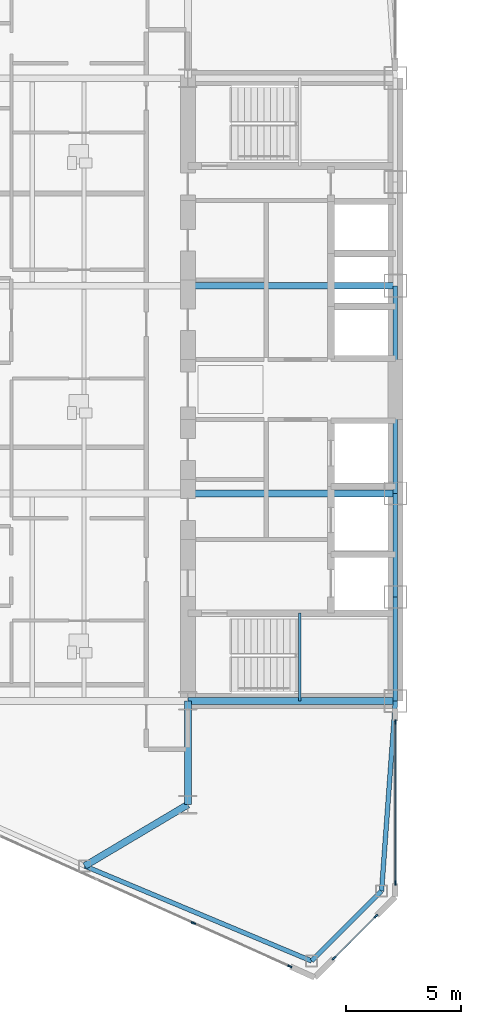
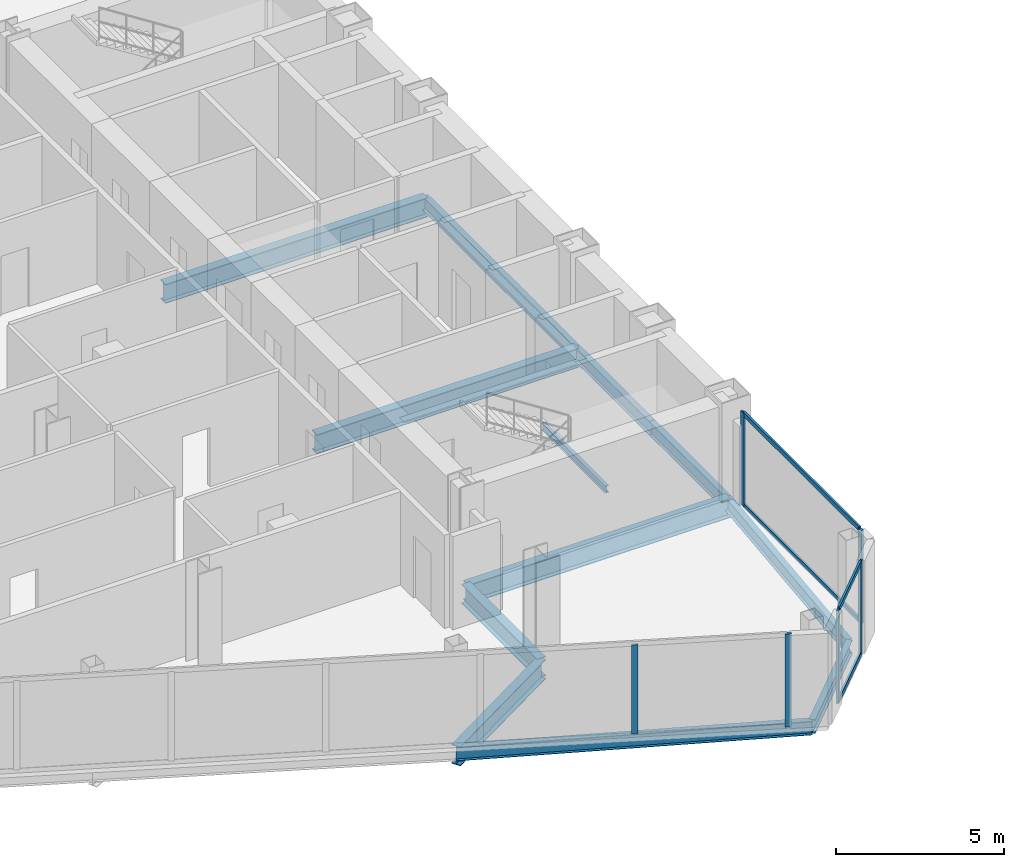
# One storey, part 6 of 27: 12 beams, 10 members, 3 elements without a shape of their own.
"""IFC4 building model written with IfcOpenShell, lengths in metres."""

from ifc_helpers import new_model, si_unit, direction, frame, origin, origin_2d, place, context, subcontext, project, spatial, rectangle, i_section, extrude, source, transform, mapped, material, layer, layer_set, material_profile, profile_set, type_object, type_shapes, element, aggregate, save


model = new_model("IFC4")

# Units and contexts
model_context = context("Model", 3, precision=1e-05, world=origin(), true_north=direction((0.0, 1.0)))
body_context = subcontext(model_context, "Body", "Model", "MODEL_VIEW")
ifc_project = project(units=[si_unit("LENGTHUNIT", "METRE"), si_unit("AREAUNIT", "SQUARE_METRE"), si_unit("VOLUMEUNIT", "CUBIC_METRE"), si_unit("PLANEANGLEUNIT", "RADIAN"), si_unit("MASSUNIT", "GRAM", prefix="KILO")], contexts=[model_context])

# Site, building, storey
site_placement = place(None, origin())
site = spatial("IfcSite", under=ifc_project, at=site_placement, CompositionType="ELEMENT")
building_placement = place(site_placement, origin())
building = spatial("IfcBuilding", under=site, at=building_placement, Name="Seokmaru Belvedere", CompositionType="ELEMENT")
storey_placement = place(building_placement, frame((0.0, 0.0, 92.39990234375)))
storey = spatial("IfcBuildingStorey", under=building, at=storey_placement, Name="L24", CompositionType="ELEMENT", Elevation=92.39990234375)

# Beams
ifc_material_1 = material(Name="Steel SM355 (355 MPa)", Category="steel")
ifc_material_profile_1 = material_profile(ifc_material_1, i_section(OverallWidth=0.199951171875, OverallDepth=0.5, WebThickness=0.010009765625, FlangeThickness=0.01611328125, at=origin_2d()), Name="H-500x200x10x16")
ifc_profile_set_1 = profile_set([ifc_material_profile_1], Name="Steel SM355 (355 MPa)")
beam_type_1 = type_object("IfcBeamType", Name="Perimeter Spandrel Beam H-500", PredefinedType="SPANDREL", material=ifc_profile_set_1)
shared_shape_1 = source(origin(), body_context, "Body", "SweptSolid", [
    extrude(i_section(OverallWidth=0.199951171875, OverallDepth=0.5, WebThickness=0.010009765625, FlangeThickness=0.01611328125, at=origin_2d()), origin(), (0.0, 0.0, 1.0), 4.5),
])
for number, where, z_axis, x_axis, name in (
    (1, (-27.5, -13.5, -0.469970703125), (0.0, 1.0, 0.0), (-1.0, 0.0, 0.0), "L24 W Portal Spine Spandrel 1"),
    (2, (-27.5, -9.0, -0.469970703125), (0.0, 1.0, 0.0), (-1.0, 0.0, 0.0), "L24 W Portal Spine Spandrel 2"),
):
    element("IfcBeam", number, at=place(storey_placement, frame(where, z_axis=z_axis, x_axis=x_axis)), inside=storey, type_object=beam_type_1, Name=name, PredefinedType="SPANDREL", context=body_context, shape_type="MappedRepresentation", body=[
        mapped(shared_shape_1, transform((0.0, 0.0, 0.0), scale=1.0)),
    ])
shared_shape_2 = source(origin(), body_context, "Body", "SweptSolid", [
    extrude(i_section(OverallWidth=0.199951171875, OverallDepth=0.5, WebThickness=0.010009765625, FlangeThickness=0.01611328125, at=origin_2d()), origin(), (0.0, 0.0, 1.0), 9.0),
])
beam_1_placement = place(storey_placement, frame((-27.5, -4.5, -0.469970703125), z_axis=(0.0, 1.0, 0.0), x_axis=(-1.0, 0.0, 0.0)))
element("IfcBeam", 3, at=beam_1_placement, inside=storey, type_object=beam_type_1, Name="L24 W Portal Spine Spandrel 3", PredefinedType="SPANDREL", context=body_context, shape_type="MappedRepresentation", body=[
    mapped(shared_shape_2, transform((0.0, 0.0, 0.0), scale=1.0)),
])
ifc_material_profile_2 = material_profile(ifc_material_1, i_section(OverallWidth=0.300048828125, OverallDepth=0.699951171875, WebThickness=0.012939453125, FlangeThickness=0.02392578125, at=origin_2d()), Name="H-700x300x13x24")
ifc_profile_set_2 = profile_set([ifc_material_profile_2], Name="Steel SM355 (355 MPa)")
beam_type_2 = type_object("IfcBeamType", Name="Primary Floor Girder H-700", PredefinedType="BEAM", material=ifc_profile_set_2)
shared_shape_3 = source(origin(), body_context, "Body", "SweptSolid", [
    extrude(i_section(OverallWidth=0.300048828125, OverallDepth=0.699951171875, WebThickness=0.012939453125, FlangeThickness=0.02392578125, at=origin_2d()), origin(), (0.0, 0.0, 1.0), 4.5),
])
beam_2_placement = place(storey_placement, frame((-36.5, -18.0, -0.56982421875), z_axis=(0.0, 1.0, 0.0), x_axis=(-1.0, 0.0, 0.0)))
element("IfcBeam", 4, at=beam_2_placement, inside=storey, type_object=beam_type_2, Name="L24 W Core Shoulder Girder S", PredefinedType="BEAM", context=body_context, shape_type="MappedRepresentation", body=[
    mapped(shared_shape_3, transform((0.0, 0.0, 0.0), scale=1.0)),
])
shared_shape_4 = source(origin(), body_context, "Body", "SweptSolid", [
    extrude(i_section(OverallWidth=0.300048828125, OverallDepth=0.699951171875, WebThickness=0.012939453125, FlangeThickness=0.02392578125, at=origin_2d()), origin(), (0.0, 0.0, 1.0), 9.0),
])
for number, where, z_axis, x_axis, name in (
    (5, (-36.5, -13.5, -0.56982421875), (1.0, 0.0, 0.0), (0.0, 1.0, 0.0), "L24 W Core Tie Girder 1"),
    (6, (-36.5, -4.5, -0.56982421875), (1.0, 0.0, 0.0), (0.0, 1.0, 0.0), "L24 W Core Tie Girder 2"),
    (7, (-36.5, 4.5, -0.56982421875), (1.0, 0.0, 0.0), (0.0, 1.0, 0.0), "L24 W Core Tie Girder 3"),
):
    element("IfcBeam", number, at=place(storey_placement, frame(where, z_axis=z_axis, x_axis=x_axis)), inside=storey, type_object=beam_type_2, Name=name, PredefinedType="BEAM", context=body_context, shape_type="MappedRepresentation", body=[
        mapped(shared_shape_4, transform((0.0, 0.0, 0.0), scale=1.0)),
    ])
shared_shape_5 = source(origin(), body_context, "Body", "SweptSolid", [
    extrude(i_section(OverallWidth=0.199951171875, OverallDepth=0.5, WebThickness=0.010009765625, FlangeThickness=0.01611328125, at=origin_2d()), origin(), (0.0, 0.0, 1.0), 10.66943359375),
])
beam_3_placement = place(storey_placement, frame((-31.13134765625, -24.782958984375, -0.469970703125), z_axis=(-0.922375393128, 0.386294750355, 0.0), x_axis=(-0.386294750355, -0.922375393128, 0.0)))
element("IfcBeam", 8, at=beam_3_placement, inside=storey, type_object=beam_type_1, Name="L24 W Faceted Flank Spandrel S-1", PredefinedType="SPANDREL", context=body_context, shape_type="MappedRepresentation", body=[
    mapped(shared_shape_5, transform((0.0, 0.0, 0.0), scale=1.0)),
])
shared_shape_6 = source(origin(), body_context, "Body", "SweptSolid", [
    extrude(i_section(OverallWidth=0.199951171875, OverallDepth=0.5, WebThickness=0.010009765625, FlangeThickness=0.01611328125, at=origin_2d()), origin(), (0.0, 0.0, 1.0), 4.287109375),
])
beam_4_placement = place(storey_placement, frame((-31.13134765625, -24.782958984375, -0.469970703125), z_axis=(0.707078306132, 0.707135255094, 0.0), x_axis=(-0.707135255094, 0.707078306132, 0.0)))
element("IfcBeam", 9, at=beam_4_placement, inside=storey, type_object=beam_type_1, Name="L24 W Shoulder Chamfer Spandrel S", PredefinedType="SPANDREL", context=body_context, shape_type="MappedRepresentation", body=[
    mapped(shared_shape_6, transform((0.0, 0.0, 0.0), scale=1.0)),
])
shared_shape_7 = source(origin(), body_context, "Body", "SweptSolid", [
    extrude(i_section(OverallWidth=0.199951171875, OverallDepth=0.5, WebThickness=0.010009765625, FlangeThickness=0.01611328125, at=origin_2d()), origin(), (0.0, 0.0, 1.0), 8.273193359375),
])
type_shapes(beam_type_1, [shared_shape_1, shared_shape_2, shared_shape_5, shared_shape_6, shared_shape_7])
beam_5_placement = place(storey_placement, frame((-28.10009765625, -21.75146484375, -0.469970703125), z_axis=(0.072534628348, 0.99736589459, 0.0), x_axis=(-0.99736589459, 0.072534628348, 0.0)))
element("IfcBeam", 10, at=beam_5_placement, inside=storey, type_object=beam_type_1, Name="L24 W Shoulder Spine Spandrel S", PredefinedType="SPANDREL", context=body_context, shape_type="MappedRepresentation", body=[
    mapped(shared_shape_7, transform((0.0, 0.0, 0.0), scale=1.0)),
])
shared_shape_8 = source(origin(), body_context, "Body", "SweptSolid", [
    extrude(i_section(OverallWidth=0.300048828125, OverallDepth=0.699951171875, WebThickness=0.012939453125, FlangeThickness=0.02392578125, at=origin_2d()), origin(), (0.0, 0.0, 1.0), 5.20458984375),
])
type_shapes(beam_type_2, [shared_shape_3, shared_shape_4, shared_shape_8])
beam_6_placement = place(storey_placement, frame((-40.97265625, -20.661376953125, -0.56982421875), z_axis=(0.859370434188, 0.511353553662, 0.0), x_axis=(-0.511353553662, 0.859370434188, 0.0)))
element("IfcBeam", 11, at=beam_6_placement, inside=storey, type_object=beam_type_2, Name="L24 W Flank Radial Floor Girder S-1", PredefinedType="BEAM", context=body_context, shape_type="MappedRepresentation", body=[
    mapped(shared_shape_8, transform((0.0, 0.0, 0.0), scale=1.0)),
])

# Curtain wall, members
ifc_material_2 = material(Name="Bronze Triple Insulating Glass", Category="glass")
ifc_layer = layer(ifc_material_2, 0.195068359375)
ifc_layer_set = layer_set([ifc_layer], Name="Bronze Triple Insulating Glass")
curtain_wall_type = type_object("IfcCurtainWallType", Name="Lower-Mid Tapered Curtain Wall System CW-3", PredefinedType="NOTDEFINED", material=ifc_layer_set)
curtain_wall_1_placement = place(storey_placement, origin())
curtain_wall_1 = element("IfcCurtainWall", 12, at=curtain_wall_1_placement, inside=storey, type_object=curtain_wall_type, Name="L24 Curtain Wall WSP_1", PredefinedType="NOTDEFINED")
ifc_material_3 = material(Name="Anodised Bronze Aluminium", Category="aluminium")
ifc_material_profile_3 = material_profile(ifc_material_3, rectangle(XDim=0.070068359375, YDim=0.1650390625, at=origin_2d()), Name="CW-T-70x165")
ifc_profile_set_3 = profile_set([ifc_material_profile_3], Name="Anodised Bronze Aluminium")
member_type_1 = type_object("IfcMemberType", Name="Bronze Unitised Transom 70x165", PredefinedType="USERDEFINED", material=ifc_profile_set_3)
shared_shape_9 = source(origin(), body_context, "Body", "SweptSolid", [
    extrude(rectangle(XDim=0.070068359375, YDim=0.1650390625, at=origin_2d()), origin(), (0.0, 0.0, 1.0), 6.91015625),
])
member_1_placement = place(storey_placement, frame((-27.5, -21.360107421875, 0.03515625), z_axis=(0.0, 1.0, 0.0), x_axis=(-1.0, 0.0, 0.0)))
member_1 = element("IfcMember", 13, at=member_1_placement, type_object=member_type_1, Name="CW:L24:WSP_1 Continuous Transom 1", ObjectType="TRANSOM", PredefinedType="USERDEFINED", context=body_context, shape_type="MappedRepresentation", body=[
    mapped(shared_shape_9, transform((0.0, 0.0, 0.0), scale=1.0)),
])
member_2_placement = place(storey_placement, frame((-27.5, -21.360107421875, 3.34521484375), z_axis=(0.0, 1.0, 0.0), x_axis=(-1.0, 0.0, 0.0)))
member_2 = element("IfcMember", 14, at=member_2_placement, type_object=member_type_1, Name="CW:L24:WSP_1 Continuous Transom 2", ObjectType="TRANSOM", PredefinedType="USERDEFINED", context=body_context, shape_type="MappedRepresentation", body=[
    mapped(shared_shape_9, transform((0.0, 0.0, 0.0), scale=1.0)),
])

curtain_wall_2_placement = place(storey_placement, origin())
curtain_wall_2 = element("IfcCurtainWall", 15, at=curtain_wall_2_placement, inside=storey, type_object=curtain_wall_type, Name="L24 Curtain Wall WF6", PredefinedType="NOTDEFINED")
shared_shape_10 = source(origin(), body_context, "Body", "SweptSolid", [
    extrude(rectangle(XDim=0.070068359375, YDim=0.1650390625, at=origin_2d()), origin(), (0.0, 0.0, 1.0), 2.509521484375),
])
type_shapes(member_type_1, [shared_shape_9, shared_shape_10])
member_3_placement = place(storey_placement, frame((-30.13720703125, -24.63720703125, 0.03515625), z_axis=(0.707106781187, 0.707106781187, 0.0), x_axis=(-0.707106781187, 0.707106781187, 0.0)))
member_3 = element("IfcMember", 16, at=member_3_placement, type_object=member_type_1, Name="CW:L24:WF6 Continuous Transom 1", ObjectType="TRANSOM", PredefinedType="USERDEFINED", context=body_context, shape_type="MappedRepresentation", body=[
    mapped(shared_shape_10, transform((0.0, 0.0, 0.0), scale=1.0)),
])
member_4_placement = place(storey_placement, frame((-30.13720703125, -24.63720703125, 3.34521484375), z_axis=(0.707106781187, 0.707106781187, 0.0), x_axis=(-0.707106781187, 0.707106781187, 0.0)))
member_4 = element("IfcMember", 17, at=member_4_placement, type_object=member_type_1, Name="CW:L24:WF6 Continuous Transom 2", ObjectType="TRANSOM", PredefinedType="USERDEFINED", context=body_context, shape_type="MappedRepresentation", body=[
    mapped(shared_shape_10, transform((0.0, 0.0, 0.0), scale=1.0)),
])

# Curtain wall, member
curtain_wall_3_placement = place(storey_placement, origin())
curtain_wall_3 = element("IfcCurtainWall", 18, at=curtain_wall_3_placement, inside=storey, type_object=curtain_wall_type, Name="L24 Curtain Wall WF5", PredefinedType="NOTDEFINED")
ifc_material_profile_4 = material_profile(ifc_material_3, rectangle(XDim=0.070068359375, YDim=0.195068359375, at=origin_2d()), Name="CW-M-70x195")
ifc_profile_set_4 = profile_set([ifc_material_profile_4], Name="Anodised Bronze Aluminium")
member_type_2 = type_object("IfcMemberType", Name="Bronze Unitised Mullion 70x195", PredefinedType="MULLION", material=ifc_profile_set_4)
shared_shape_11 = source(origin(), body_context, "Body", "SweptSolid", [
    extrude(rectangle(XDim=0.070068359375, YDim=0.195068359375, at=origin_2d()), origin(), (0.0, 0.0, 1.0), 3.239990234375),
])
member_5_placement = place(storey_placement, frame((-36.260009765625, -23.133056640625, 0.070068359375), z_axis=(0.0, 0.0, 1.0), x_axis=(0.41036554765, 0.91192111353, 0.0)))
member_5 = element("IfcMember", 19, at=member_5_placement, type_object=member_type_2, Name="CW:L24:WF5 Mullion 9", PredefinedType="MULLION", context=body_context, shape_type="MappedRepresentation", body=[
    mapped(shared_shape_11, transform((0.0, 0.0, 0.0), scale=1.0)),
])

# Member
shared_shape_12 = source(origin(), body_context, "Body", "SweptSolid", [
    extrude(rectangle(XDim=0.070068359375, YDim=0.195068359375, at=origin_2d()), origin(), (0.0, 0.0, 1.0), 3.380126953125),
])
type_shapes(member_type_2, [shared_shape_11, shared_shape_12])
member_6_placement = place(storey_placement, frame((-27.5, -21.39501953125, 0.0), z_axis=(0.0, 0.0, 1.0), x_axis=(-1.0, 0.0, 0.0)))
member_6 = element("IfcMember", 20, at=member_6_placement, type_object=member_type_2, Name="CW:L24:WSP_1 Mullion 1", PredefinedType="MULLION", context=body_context, shape_type="MappedRepresentation", body=[
    mapped(shared_shape_12, transform((0.0, 0.0, 0.0), scale=1.0)),
])

member_7_placement = place(storey_placement, frame((-27.5, -14.4150390625, 0.0), z_axis=(0.0, 0.0, 1.0), x_axis=(-1.0, 0.0, 0.0)))
member_7 = element("IfcMember", 21, at=member_7_placement, type_object=member_type_2, Name="CW:L24:WSP_1 Mullion 2", PredefinedType="MULLION", context=body_context, shape_type="MappedRepresentation", body=[
    mapped(shared_shape_12, transform((0.0, 0.0, 0.0), scale=1.0)),
])

aggregate(curtain_wall_1, [member_6, member_7, member_1, member_2])

member_8_placement = place(storey_placement, frame((-32.08056640625, -25.013671875, 0.0), z_axis=(0.0, 0.0, 1.0), x_axis=(0.41036554765, 0.91192111353, 0.0)))
member_8 = element("IfcMember", 22, at=member_8_placement, type_object=member_type_2, Name="CW:L24:WF5 Mullion 10", PredefinedType="MULLION", context=body_context, shape_type="MappedRepresentation", body=[
    mapped(shared_shape_12, transform((0.0, 0.0, 0.0), scale=1.0)),
])

aggregate(curtain_wall_3, [member_5, member_8])

member_9_placement = place(storey_placement, frame((-30.162109375, -24.662109375, 0.0), z_axis=(0.0, 0.0, 1.0), x_axis=(-0.707106781187, 0.707106781187, 0.0)))
member_9 = element("IfcMember", 23, at=member_9_placement, type_object=member_type_2, Name="CW:L24:WF6 Mullion 1", PredefinedType="MULLION", context=body_context, shape_type="MappedRepresentation", body=[
    mapped(shared_shape_12, transform((0.0, 0.0, 0.0), scale=1.0)),
])

member_10_placement = place(storey_placement, frame((-28.337890625, -22.837890625, 0.0), z_axis=(0.0, 0.0, 1.0), x_axis=(-0.707106781187, 0.707106781187, 0.0)))
member_10 = element("IfcMember", 24, at=member_10_placement, type_object=member_type_2, Name="CW:L24:WF6 Mullion 2", PredefinedType="MULLION", context=body_context, shape_type="MappedRepresentation", body=[
    mapped(shared_shape_12, transform((0.0, 0.0, 0.0), scale=1.0)),
])

aggregate(curtain_wall_2, [member_9, member_10, member_3, member_4])

# Beam
ifc_material_profile_5 = material_profile(ifc_material_1, i_section(OverallWidth=0.125, OverallDepth=0.25, WebThickness=0.006103515625, FlangeThickness=0.009033203125, at=origin_2d()), Name="H-250x125x6x9")
ifc_profile_set_5 = profile_set([ifc_material_profile_5], Name="Steel SM355 (355 MPa)")
beam_type_3 = type_object("IfcBeamType", Name="Stair Mid-Landing Support Beam H-250", PredefinedType="JOIST", material=ifc_profile_set_5)
shared_shape_13 = source(origin(), body_context, "Body", "SweptSolid", [
    extrude(i_section(OverallWidth=0.125, OverallDepth=0.25, WebThickness=0.006103515625, FlangeThickness=0.009033203125, at=origin_2d()), origin(), (0.0, 0.0, 1.0), 3.800048828125),
])
type_shapes(beam_type_3, [shared_shape_13])
beam_7_placement = place(storey_placement, frame((-31.64990234375, -13.5, 1.47509765625), z_axis=(0.0, 1.0, 0.0), x_axis=(-1.0, 0.0, 0.0)))
element("IfcBeam", 25, at=beam_7_placement, inside=storey, type_object=beam_type_3, Name="L24 Stair ST-W1 Mid-Landing Support Beam 1", PredefinedType="JOIST", context=body_context, shape_type="MappedRepresentation", body=[
    mapped(shared_shape_13, transform((0.0, 0.0, 0.0), scale=1.0)),
])

save(model, "model.ifc")
